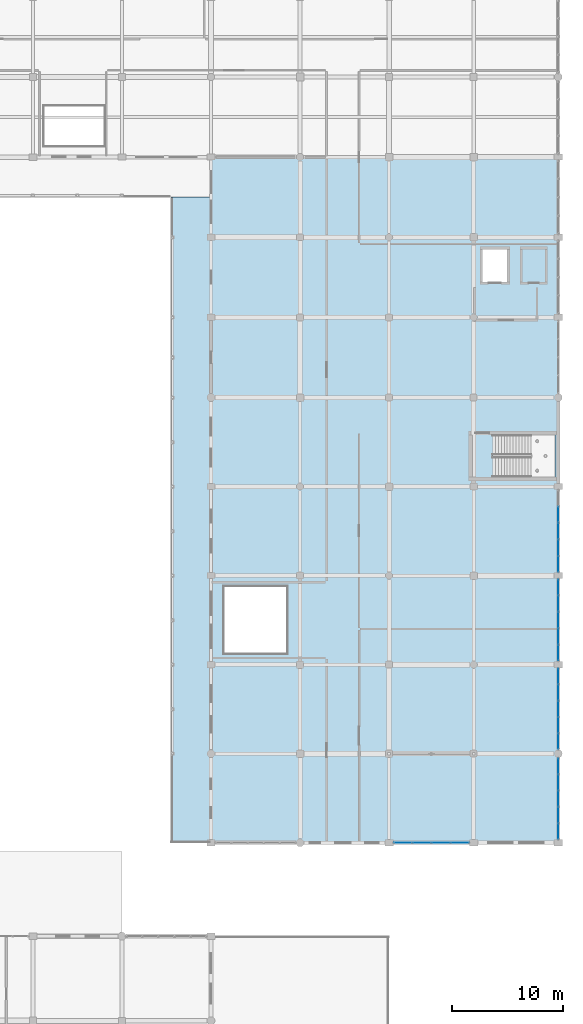
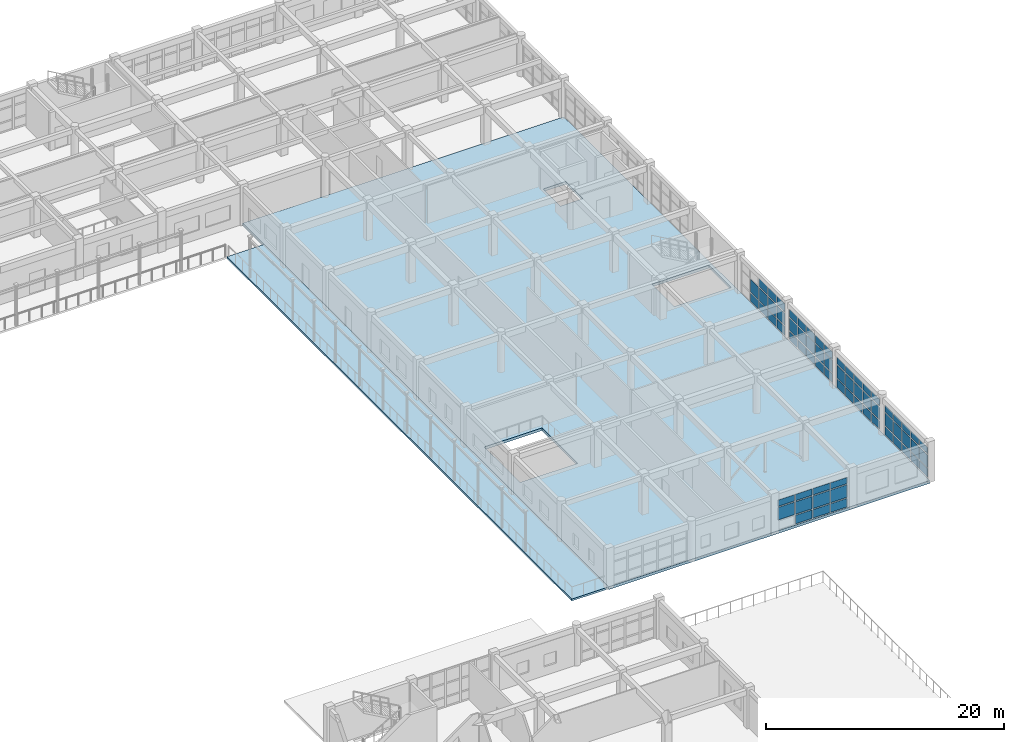
# One storey, part 153 of 195: 67 plates, 2 slabs, 5 elements without a shape of their own.
"""IFC4 building model written with IfcOpenShell, lengths in metres."""

from ifc_helpers import new_model, si_unit, direction, frame, origin, origin_2d, place, context, subcontext, project, spatial, polyline, rectangle, outline, extrude, material, layer, layer_set, type_object, element, aggregate, save


model = new_model("IFC4")

# Units and contexts
model_context = context("Model", 3, precision=1e-05, world=origin(), true_north=direction((0.0, 1.0)))
body_context = subcontext(model_context, "Body", "Model", "MODEL_VIEW")
ifc_project = project(units=[si_unit("LENGTHUNIT", "METRE"), si_unit("AREAUNIT", "SQUARE_METRE"), si_unit("VOLUMEUNIT", "CUBIC_METRE"), si_unit("PLANEANGLEUNIT", "RADIAN"), si_unit("MASSUNIT", "GRAM", prefix="KILO")], contexts=[model_context])

# Site, building, storey
site_placement = place(None, origin())
site = spatial("IfcSite", under=ifc_project, at=site_placement, CompositionType="ELEMENT")
building_placement = place(site_placement, origin())
building = spatial("IfcBuilding", under=site, at=building_placement, Name="Kharva Crest Polytechnic", CompositionType="ELEMENT")
storey_placement = place(building_placement, frame((0.0, 0.0, 9.0)))
storey = spatial("IfcBuildingStorey", under=building, at=storey_placement, Name="L02", CompositionType="ELEMENT", Elevation=9.0)

# Curtain wall, plates
ifc_material_1 = material(Name="Tempered insulated glass", Category="glass")
curtain_wall_type = type_object("IfcCurtainWallType", Name="CW-SYS-COURT", PredefinedType="USERDEFINED", material=ifc_material_1)
curtain_wall_1_placement = place(storey_placement, origin())
curtain_wall_1 = element("IfcCurtainWall", 1, at=curtain_wall_1_placement, inside=storey, type_object=curtain_wall_type, Name="L02 Glazed Curtain Wall CW-102", ObjectType="CURTAIN WALL", PredefinedType="USERDEFINED")
ifc_layer_1 = layer(ifc_material_1, 0.02392578125, Name="Tempered insulated glass")
ifc_layer_set_1 = layer_set([ifc_layer_1], Name="Tempered insulated glass")
plate_type = type_object("IfcPlateType", Name="CWP-GLZ-24", PredefinedType="CURTAIN_PANEL", material=ifc_layer_set_1)
plate_1_placement = place(storey_placement, frame((170.054931640625, 38.800048828125, 1.10986328125), z_axis=(0.0, 0.0, 1.0), x_axis=(1.0, 0.0, 0.0)))
plate_1 = element("IfcPlate", 2, at=plate_1_placement, type_object=plate_type, Name="CW-102 panel 1.2", PredefinedType="CURTAIN_PANEL", context=body_context, shape_type="SweptSolid", body=[
    extrude(rectangle(XDim=1.590087890625, YDim=0.02392578125, at=origin_2d()), origin(), (0.0, 0.0, 1.0), 1.280029296875),
])
plate_2_placement = place(storey_placement, frame((170.054931640625, 38.800048828125, 2.51025390625), z_axis=(0.0, 0.0, 1.0), x_axis=(1.0, 0.0, 0.0)))
plate_2 = element("IfcPlate", 3, at=plate_2_placement, type_object=plate_type, Name="CW-102 panel 1.3", PredefinedType="CURTAIN_PANEL", context=body_context, shape_type="SweptSolid", body=[
    extrude(rectangle(XDim=1.590087890625, YDim=0.02392578125, at=origin_2d()), origin(), (0.0, 0.0, 1.0), 0.639892578125),
])
plate_3_placement = place(storey_placement, frame((171.7451171875, 38.800048828125, 0.119873046875), z_axis=(0.0, 0.0, 1.0), x_axis=(1.0, 0.0, 0.0)))
plate_3 = element("IfcPlate", 4, at=plate_3_placement, type_object=plate_type, Name="CW-102 panel 2.1", PredefinedType="CURTAIN_PANEL", context=body_context, shape_type="SweptSolid", body=[
    extrude(rectangle(XDim=1.6298828125, YDim=0.02392578125, at=origin_2d()), origin(), (0.0, 0.0, 1.0), 0.8701171875),
])
plate_4_placement = place(storey_placement, frame((171.7451171875, 38.800048828125, 1.10986328125), z_axis=(0.0, 0.0, 1.0), x_axis=(1.0, 0.0, 0.0)))
plate_4 = element("IfcPlate", 5, at=plate_4_placement, type_object=plate_type, Name="CW-102 panel 2.2", PredefinedType="CURTAIN_PANEL", context=body_context, shape_type="SweptSolid", body=[
    extrude(rectangle(XDim=1.6298828125, YDim=0.02392578125, at=origin_2d()), origin(), (0.0, 0.0, 1.0), 1.280029296875),
])
plate_5_placement = place(storey_placement, frame((171.7451171875, 38.800048828125, 2.51025390625), z_axis=(0.0, 0.0, 1.0), x_axis=(1.0, 0.0, 0.0)))
plate_5 = element("IfcPlate", 6, at=plate_5_placement, type_object=plate_type, Name="CW-102 panel 2.3", PredefinedType="CURTAIN_PANEL", context=body_context, shape_type="SweptSolid", body=[
    extrude(rectangle(XDim=1.6298828125, YDim=0.02392578125, at=origin_2d()), origin(), (0.0, 0.0, 1.0), 0.639892578125),
])
plate_6_placement = place(storey_placement, frame((173.455078125, 38.800048828125, 0.119873046875), z_axis=(0.0, 0.0, 1.0), x_axis=(1.0, 0.0, 0.0)))
plate_6 = element("IfcPlate", 7, at=plate_6_placement, type_object=plate_type, Name="CW-102 panel 3.1", PredefinedType="CURTAIN_PANEL", context=body_context, shape_type="SweptSolid", body=[
    extrude(rectangle(XDim=1.6298828125, YDim=0.02392578125, at=origin_2d()), origin(), (0.0, 0.0, 1.0), 0.8701171875),
])
plate_7_placement = place(storey_placement, frame((173.455078125, 38.800048828125, 1.10986328125), z_axis=(0.0, 0.0, 1.0), x_axis=(1.0, 0.0, 0.0)))
plate_7 = element("IfcPlate", 8, at=plate_7_placement, type_object=plate_type, Name="CW-102 panel 3.2", PredefinedType="CURTAIN_PANEL", context=body_context, shape_type="SweptSolid", body=[
    extrude(rectangle(XDim=1.6298828125, YDim=0.02392578125, at=origin_2d()), origin(), (0.0, 0.0, 1.0), 1.280029296875),
])
plate_8_placement = place(storey_placement, frame((173.455078125, 38.800048828125, 2.51025390625), z_axis=(0.0, 0.0, 1.0), x_axis=(1.0, 0.0, 0.0)))
plate_8 = element("IfcPlate", 9, at=plate_8_placement, type_object=plate_type, Name="CW-102 panel 3.3", PredefinedType="CURTAIN_PANEL", context=body_context, shape_type="SweptSolid", body=[
    extrude(rectangle(XDim=1.6298828125, YDim=0.02392578125, at=origin_2d()), origin(), (0.0, 0.0, 1.0), 0.639892578125),
])
plate_9_placement = place(storey_placement, frame((175.14501953125, 38.800048828125, 0.119873046875), z_axis=(0.0, 0.0, 1.0), x_axis=(1.0, 0.0, 0.0)))
plate_9 = element("IfcPlate", 10, at=plate_9_placement, type_object=plate_type, Name="CW-102 panel 4.1", PredefinedType="CURTAIN_PANEL", context=body_context, shape_type="SweptSolid", body=[
    extrude(rectangle(XDim=1.590087890625, YDim=0.02392578125, at=origin_2d()), origin(), (0.0, 0.0, 1.0), 0.8701171875),
])
plate_10_placement = place(storey_placement, frame((175.14501953125, 38.800048828125, 1.10986328125), z_axis=(0.0, 0.0, 1.0), x_axis=(1.0, 0.0, 0.0)))
plate_10 = element("IfcPlate", 11, at=plate_10_placement, type_object=plate_type, Name="CW-102 panel 4.2", PredefinedType="CURTAIN_PANEL", context=body_context, shape_type="SweptSolid", body=[
    extrude(rectangle(XDim=1.590087890625, YDim=0.02392578125, at=origin_2d()), origin(), (0.0, 0.0, 1.0), 1.280029296875),
])
plate_11_placement = place(storey_placement, frame((175.14501953125, 38.800048828125, 2.51025390625), z_axis=(0.0, 0.0, 1.0), x_axis=(1.0, 0.0, 0.0)))
plate_11 = element("IfcPlate", 12, at=plate_11_placement, type_object=plate_type, Name="CW-102 panel 4.3", PredefinedType="CURTAIN_PANEL", context=body_context, shape_type="SweptSolid", body=[
    extrude(rectangle(XDim=1.590087890625, YDim=0.02392578125, at=origin_2d()), origin(), (0.0, 0.0, 1.0), 0.639892578125),
])
aggregate(curtain_wall_1, [plate_1, plate_2, plate_3, plate_4, plate_5, plate_6, plate_7, plate_8, plate_9, plate_10, plate_11])

curtain_wall_2_placement = place(storey_placement, origin())
curtain_wall_2 = element("IfcCurtainWall", 13, at=curtain_wall_2_placement, inside=storey, type_object=curtain_wall_type, Name="L02 Glazed Curtain Wall CW-103", ObjectType="CURTAIN WALL", PredefinedType="USERDEFINED")
plate_12_placement = place(storey_placement, frame((184.0, 39.83544921875, 0.119873046875), z_axis=(0.0, 0.0, 1.0), x_axis=(0.0, 1.0, 0.0)))
plate_12 = element("IfcPlate", 14, at=plate_12_placement, type_object=plate_type, Name="CW-103 panel 1.1", PredefinedType="CURTAIN_PANEL", context=body_context, shape_type="SweptSolid", body=[
    extrude(rectangle(XDim=1.35107421875, YDim=0.02392578125, at=origin_2d()), origin(), (0.0, 0.0, 1.0), 0.8701171875),
])
plate_13_placement = place(storey_placement, frame((184.0, 39.83544921875, 1.10986328125), z_axis=(0.0, 0.0, 1.0), x_axis=(0.0, 1.0, 0.0)))
plate_13 = element("IfcPlate", 15, at=plate_13_placement, type_object=plate_type, Name="CW-103 panel 1.2", PredefinedType="CURTAIN_PANEL", context=body_context, shape_type="SweptSolid", body=[
    extrude(rectangle(XDim=1.35107421875, YDim=0.02392578125, at=origin_2d()), origin(), (0.0, 0.0, 1.0), 1.280029296875),
])
plate_14_placement = place(storey_placement, frame((184.0, 39.83544921875, 2.510009765625), z_axis=(0.0, 0.0, 1.0), x_axis=(0.0, 1.0, 0.0)))
plate_14 = element("IfcPlate", 16, at=plate_14_placement, type_object=plate_type, Name="CW-103 panel 1.3", PredefinedType="CURTAIN_PANEL", context=body_context, shape_type="SweptSolid", body=[
    extrude(rectangle(XDim=1.35107421875, YDim=0.02392578125, at=origin_2d()), origin(), (0.0, 0.0, 1.0), 0.669921875),
])
plate_15_placement = place(storey_placement, frame((184.0, 41.28662109375, 0.119873046875), z_axis=(0.0, 0.0, 1.0), x_axis=(0.0, 1.0, 0.0)))
plate_15 = element("IfcPlate", 17, at=plate_15_placement, type_object=plate_type, Name="CW-103 panel 2.1", PredefinedType="CURTAIN_PANEL", context=body_context, shape_type="SweptSolid", body=[
    extrude(rectangle(XDim=1.39111328125, YDim=0.02392578125, at=origin_2d()), origin(), (0.0, 0.0, 1.0), 0.8701171875),
])
plate_16_placement = place(storey_placement, frame((184.0, 41.28662109375, 1.10986328125), z_axis=(0.0, 0.0, 1.0), x_axis=(0.0, 1.0, 0.0)))
plate_16 = element("IfcPlate", 18, at=plate_16_placement, type_object=plate_type, Name="CW-103 panel 2.2", PredefinedType="CURTAIN_PANEL", context=body_context, shape_type="SweptSolid", body=[
    extrude(rectangle(XDim=1.39111328125, YDim=0.02392578125, at=origin_2d()), origin(), (0.0, 0.0, 1.0), 1.280029296875),
])
plate_17_placement = place(storey_placement, frame((184.0, 41.28662109375, 2.510009765625), z_axis=(0.0, 0.0, 1.0), x_axis=(0.0, 1.0, 0.0)))
plate_17 = element("IfcPlate", 19, at=plate_17_placement, type_object=plate_type, Name="CW-103 panel 2.3", PredefinedType="CURTAIN_PANEL", context=body_context, shape_type="SweptSolid", body=[
    extrude(rectangle(XDim=1.39111328125, YDim=0.02392578125, at=origin_2d()), origin(), (0.0, 0.0, 1.0), 0.669921875),
])
plate_18_placement = place(storey_placement, frame((184.0, 42.757568359375, 0.119873046875), z_axis=(0.0, 0.0, 1.0), x_axis=(0.0, 1.0, 0.0)))
plate_18 = element("IfcPlate", 20, at=plate_18_placement, type_object=plate_type, Name="CW-103 panel 3.1", PredefinedType="CURTAIN_PANEL", context=body_context, shape_type="SweptSolid", body=[
    extrude(rectangle(XDim=1.39111328125, YDim=0.02392578125, at=origin_2d()), origin(), (0.0, 0.0, 1.0), 0.8701171875),
])
plate_19_placement = place(storey_placement, frame((184.0, 42.757568359375, 1.10986328125), z_axis=(0.0, 0.0, 1.0), x_axis=(0.0, 1.0, 0.0)))
plate_19 = element("IfcPlate", 21, at=plate_19_placement, type_object=plate_type, Name="CW-103 panel 3.2", PredefinedType="CURTAIN_PANEL", context=body_context, shape_type="SweptSolid", body=[
    extrude(rectangle(XDim=1.39111328125, YDim=0.02392578125, at=origin_2d()), origin(), (0.0, 0.0, 1.0), 1.280029296875),
])
plate_20_placement = place(storey_placement, frame((184.0, 42.757568359375, 2.510009765625), z_axis=(0.0, 0.0, 1.0), x_axis=(0.0, 1.0, 0.0)))
plate_20 = element("IfcPlate", 22, at=plate_20_placement, type_object=plate_type, Name="CW-103 panel 3.3", PredefinedType="CURTAIN_PANEL", context=body_context, shape_type="SweptSolid", body=[
    extrude(rectangle(XDim=1.39111328125, YDim=0.02392578125, at=origin_2d()), origin(), (0.0, 0.0, 1.0), 0.669921875),
])
plate_21_placement = place(storey_placement, frame((184.0, 44.228515625, 0.119873046875), z_axis=(0.0, 0.0, 1.0), x_axis=(0.0, 1.0, 0.0)))
plate_21 = element("IfcPlate", 23, at=plate_21_placement, type_object=plate_type, Name="CW-103 panel 4.1", PredefinedType="CURTAIN_PANEL", context=body_context, shape_type="SweptSolid", body=[
    extrude(rectangle(XDim=1.39111328125, YDim=0.02392578125, at=origin_2d()), origin(), (0.0, 0.0, 1.0), 0.8701171875),
])
plate_22_placement = place(storey_placement, frame((184.0, 44.228515625, 1.10986328125), z_axis=(0.0, 0.0, 1.0), x_axis=(0.0, 1.0, 0.0)))
plate_22 = element("IfcPlate", 24, at=plate_22_placement, type_object=plate_type, Name="CW-103 panel 4.2", PredefinedType="CURTAIN_PANEL", context=body_context, shape_type="SweptSolid", body=[
    extrude(rectangle(XDim=1.39111328125, YDim=0.02392578125, at=origin_2d()), origin(), (0.0, 0.0, 1.0), 1.280029296875),
])
plate_23_placement = place(storey_placement, frame((184.0, 44.228515625, 2.510009765625), z_axis=(0.0, 0.0, 1.0), x_axis=(0.0, 1.0, 0.0)))
plate_23 = element("IfcPlate", 25, at=plate_23_placement, type_object=plate_type, Name="CW-103 panel 4.3", PredefinedType="CURTAIN_PANEL", context=body_context, shape_type="SweptSolid", body=[
    extrude(rectangle(XDim=1.39111328125, YDim=0.02392578125, at=origin_2d()), origin(), (0.0, 0.0, 1.0), 0.669921875),
])
plate_24_placement = place(storey_placement, frame((184.0, 45.679443359375, 0.119873046875), z_axis=(0.0, 0.0, 1.0), x_axis=(0.0, 1.0, 0.0)))
plate_24 = element("IfcPlate", 26, at=plate_24_placement, type_object=plate_type, Name="CW-103 panel 5.1", PredefinedType="CURTAIN_PANEL", context=body_context, shape_type="SweptSolid", body=[
    extrude(rectangle(XDim=1.35107421875, YDim=0.02392578125, at=origin_2d()), origin(), (0.0, 0.0, 1.0), 0.8701171875),
])
plate_25_placement = place(storey_placement, frame((184.0, 45.679443359375, 1.10986328125), z_axis=(0.0, 0.0, 1.0), x_axis=(0.0, 1.0, 0.0)))
plate_25 = element("IfcPlate", 27, at=plate_25_placement, type_object=plate_type, Name="CW-103 panel 5.2", PredefinedType="CURTAIN_PANEL", context=body_context, shape_type="SweptSolid", body=[
    extrude(rectangle(XDim=1.35107421875, YDim=0.02392578125, at=origin_2d()), origin(), (0.0, 0.0, 1.0), 1.280029296875),
])
plate_26_placement = place(storey_placement, frame((184.0, 45.679443359375, 2.510009765625), z_axis=(0.0, 0.0, 1.0), x_axis=(0.0, 1.0, 0.0)))
plate_26 = element("IfcPlate", 28, at=plate_26_placement, type_object=plate_type, Name="CW-103 panel 5.3", PredefinedType="CURTAIN_PANEL", context=body_context, shape_type="SweptSolid", body=[
    extrude(rectangle(XDim=1.35107421875, YDim=0.02392578125, at=origin_2d()), origin(), (0.0, 0.0, 1.0), 0.669921875),
])
aggregate(curtain_wall_2, [plate_12, plate_13, plate_14, plate_15, plate_16, plate_17, plate_18, plate_19, plate_20, plate_21, plate_22, plate_23, plate_24, plate_25, plate_26])

curtain_wall_3_placement = place(storey_placement, origin())
curtain_wall_3 = element("IfcCurtainWall", 29, at=curtain_wall_3_placement, inside=storey, type_object=curtain_wall_type, Name="L02 Glazed Curtain Wall CW-104", ObjectType="CURTAIN WALL", PredefinedType="USERDEFINED")
plate_27_placement = place(storey_placement, frame((184.0, 47.91796875, 0.119873046875), z_axis=(0.0, 0.0, 1.0), x_axis=(0.0, 1.0, 0.0)))
plate_27 = element("IfcPlate", 30, at=plate_27_placement, type_object=plate_type, Name="CW-104 panel 1.1", PredefinedType="CURTAIN_PANEL", context=body_context, shape_type="SweptSolid", body=[
    extrude(rectangle(XDim=1.345947265625, YDim=0.02392578125, at=origin_2d()), origin(), (0.0, 0.0, 1.0), 0.8701171875),
])
plate_28_placement = place(storey_placement, frame((184.0, 47.91796875, 1.10986328125), z_axis=(0.0, 0.0, 1.0), x_axis=(0.0, 1.0, 0.0)))
plate_28 = element("IfcPlate", 31, at=plate_28_placement, type_object=plate_type, Name="CW-104 panel 1.2", PredefinedType="CURTAIN_PANEL", context=body_context, shape_type="SweptSolid", body=[
    extrude(rectangle(XDim=1.345947265625, YDim=0.02392578125, at=origin_2d()), origin(), (0.0, 0.0, 1.0), 1.280029296875),
])
plate_29_placement = place(storey_placement, frame((184.0, 47.91796875, 2.510009765625), z_axis=(0.0, 0.0, 1.0), x_axis=(0.0, 1.0, 0.0)))
plate_29 = element("IfcPlate", 32, at=plate_29_placement, type_object=plate_type, Name="CW-104 panel 1.3", PredefinedType="CURTAIN_PANEL", context=body_context, shape_type="SweptSolid", body=[
    extrude(rectangle(XDim=1.345947265625, YDim=0.02392578125, at=origin_2d()), origin(), (0.0, 0.0, 1.0), 0.7099609375),
])
plate_30_placement = place(storey_placement, frame((184.0, 49.364013671875, 0.119873046875), z_axis=(0.0, 0.0, 1.0), x_axis=(0.0, 1.0, 0.0)))
plate_30 = element("IfcPlate", 33, at=plate_30_placement, type_object=plate_type, Name="CW-104 panel 2.1", PredefinedType="CURTAIN_PANEL", context=body_context, shape_type="SweptSolid", body=[
    extrude(rectangle(XDim=1.385986328125, YDim=0.02392578125, at=origin_2d()), origin(), (0.0, 0.0, 1.0), 0.8701171875),
])
plate_31_placement = place(storey_placement, frame((184.0, 49.364013671875, 1.10986328125), z_axis=(0.0, 0.0, 1.0), x_axis=(0.0, 1.0, 0.0)))
plate_31 = element("IfcPlate", 34, at=plate_31_placement, type_object=plate_type, Name="CW-104 panel 2.2", PredefinedType="CURTAIN_PANEL", context=body_context, shape_type="SweptSolid", body=[
    extrude(rectangle(XDim=1.385986328125, YDim=0.02392578125, at=origin_2d()), origin(), (0.0, 0.0, 1.0), 1.280029296875),
])
plate_32_placement = place(storey_placement, frame((184.0, 49.364013671875, 2.510009765625), z_axis=(0.0, 0.0, 1.0), x_axis=(0.0, 1.0, 0.0)))
plate_32 = element("IfcPlate", 35, at=plate_32_placement, type_object=plate_type, Name="CW-104 panel 2.3", PredefinedType="CURTAIN_PANEL", context=body_context, shape_type="SweptSolid", body=[
    extrude(rectangle(XDim=1.385986328125, YDim=0.02392578125, at=origin_2d()), origin(), (0.0, 0.0, 1.0), 0.7099609375),
])
plate_33_placement = place(storey_placement, frame((184.0, 50.830078125, 0.119873046875), z_axis=(0.0, 0.0, 1.0), x_axis=(0.0, 1.0, 0.0)))
plate_33 = element("IfcPlate", 36, at=plate_33_placement, type_object=plate_type, Name="CW-104 panel 3.1", PredefinedType="CURTAIN_PANEL", context=body_context, shape_type="SweptSolid", body=[
    extrude(rectangle(XDim=1.385986328125, YDim=0.02392578125, at=origin_2d()), origin(), (0.0, 0.0, 1.0), 0.8701171875),
])
plate_34_placement = place(storey_placement, frame((184.0, 50.830078125, 1.10986328125), z_axis=(0.0, 0.0, 1.0), x_axis=(0.0, 1.0, 0.0)))
plate_34 = element("IfcPlate", 37, at=plate_34_placement, type_object=plate_type, Name="CW-104 panel 3.2", PredefinedType="CURTAIN_PANEL", context=body_context, shape_type="SweptSolid", body=[
    extrude(rectangle(XDim=1.385986328125, YDim=0.02392578125, at=origin_2d()), origin(), (0.0, 0.0, 1.0), 1.280029296875),
])
plate_35_placement = place(storey_placement, frame((184.0, 50.830078125, 2.510009765625), z_axis=(0.0, 0.0, 1.0), x_axis=(0.0, 1.0, 0.0)))
plate_35 = element("IfcPlate", 38, at=plate_35_placement, type_object=plate_type, Name="CW-104 panel 3.3", PredefinedType="CURTAIN_PANEL", context=body_context, shape_type="SweptSolid", body=[
    extrude(rectangle(XDim=1.385986328125, YDim=0.02392578125, at=origin_2d()), origin(), (0.0, 0.0, 1.0), 0.7099609375),
])
plate_36_placement = place(storey_placement, frame((184.0, 52.2958984375, 0.119873046875), z_axis=(0.0, 0.0, 1.0), x_axis=(0.0, 1.0, 0.0)))
plate_36 = element("IfcPlate", 39, at=plate_36_placement, type_object=plate_type, Name="CW-104 panel 4.1", PredefinedType="CURTAIN_PANEL", context=body_context, shape_type="SweptSolid", body=[
    extrude(rectangle(XDim=1.385986328125, YDim=0.02392578125, at=origin_2d()), origin(), (0.0, 0.0, 1.0), 0.8701171875),
])
plate_37_placement = place(storey_placement, frame((184.0, 52.2958984375, 1.10986328125), z_axis=(0.0, 0.0, 1.0), x_axis=(0.0, 1.0, 0.0)))
plate_37 = element("IfcPlate", 40, at=plate_37_placement, type_object=plate_type, Name="CW-104 panel 4.2", PredefinedType="CURTAIN_PANEL", context=body_context, shape_type="SweptSolid", body=[
    extrude(rectangle(XDim=1.385986328125, YDim=0.02392578125, at=origin_2d()), origin(), (0.0, 0.0, 1.0), 1.280029296875),
])
plate_38_placement = place(storey_placement, frame((184.0, 52.2958984375, 2.510009765625), z_axis=(0.0, 0.0, 1.0), x_axis=(0.0, 1.0, 0.0)))
plate_38 = element("IfcPlate", 41, at=plate_38_placement, type_object=plate_type, Name="CW-104 panel 4.3", PredefinedType="CURTAIN_PANEL", context=body_context, shape_type="SweptSolid", body=[
    extrude(rectangle(XDim=1.385986328125, YDim=0.02392578125, at=origin_2d()), origin(), (0.0, 0.0, 1.0), 0.7099609375),
])
plate_39_placement = place(storey_placement, frame((184.0, 53.741943359375, 0.119873046875), z_axis=(0.0, 0.0, 1.0), x_axis=(0.0, 1.0, 0.0)))
plate_39 = element("IfcPlate", 42, at=plate_39_placement, type_object=plate_type, Name="CW-104 panel 5.1", PredefinedType="CURTAIN_PANEL", context=body_context, shape_type="SweptSolid", body=[
    extrude(rectangle(XDim=1.345947265625, YDim=0.02392578125, at=origin_2d()), origin(), (0.0, 0.0, 1.0), 0.8701171875),
])
plate_40_placement = place(storey_placement, frame((184.0, 53.741943359375, 1.10986328125), z_axis=(0.0, 0.0, 1.0), x_axis=(0.0, 1.0, 0.0)))
plate_40 = element("IfcPlate", 43, at=plate_40_placement, type_object=plate_type, Name="CW-104 panel 5.2", PredefinedType="CURTAIN_PANEL", context=body_context, shape_type="SweptSolid", body=[
    extrude(rectangle(XDim=1.345947265625, YDim=0.02392578125, at=origin_2d()), origin(), (0.0, 0.0, 1.0), 1.280029296875),
])
plate_41_placement = place(storey_placement, frame((184.0, 53.741943359375, 2.510009765625), z_axis=(0.0, 0.0, 1.0), x_axis=(0.0, 1.0, 0.0)))
plate_41 = element("IfcPlate", 44, at=plate_41_placement, type_object=plate_type, Name="CW-104 panel 5.3", PredefinedType="CURTAIN_PANEL", context=body_context, shape_type="SweptSolid", body=[
    extrude(rectangle(XDim=1.345947265625, YDim=0.02392578125, at=origin_2d()), origin(), (0.0, 0.0, 1.0), 0.7099609375),
])
aggregate(curtain_wall_3, [plate_27, plate_28, plate_29, plate_30, plate_31, plate_32, plate_33, plate_34, plate_35, plate_36, plate_37, plate_38, plate_39, plate_40, plate_41])

curtain_wall_4_placement = place(storey_placement, origin())
curtain_wall_4 = element("IfcCurtainWall", 45, at=curtain_wall_4_placement, inside=storey, type_object=curtain_wall_type, Name="L02 Glazed Curtain Wall CW-105", ObjectType="CURTAIN WALL", PredefinedType="USERDEFINED")
plate_42_placement = place(storey_placement, frame((184.0, 55.866455078125, 0.119873046875), z_axis=(0.0, 0.0, 1.0), x_axis=(0.0, 1.0, 0.0)))
plate_42 = element("IfcPlate", 46, at=plate_42_placement, type_object=plate_type, Name="CW-105 panel 1.1", PredefinedType="CURTAIN_PANEL", context=body_context, shape_type="SweptSolid", body=[
    extrude(rectangle(XDim=1.363037109375, YDim=0.02392578125, at=origin_2d()), origin(), (0.0, 0.0, 1.0), 0.8701171875),
])
plate_43_placement = place(storey_placement, frame((184.0, 55.866455078125, 1.10986328125), z_axis=(0.0, 0.0, 1.0), x_axis=(0.0, 1.0, 0.0)))
plate_43 = element("IfcPlate", 47, at=plate_43_placement, type_object=plate_type, Name="CW-105 panel 1.2", PredefinedType="CURTAIN_PANEL", context=body_context, shape_type="SweptSolid", body=[
    extrude(rectangle(XDim=1.363037109375, YDim=0.02392578125, at=origin_2d()), origin(), (0.0, 0.0, 1.0), 1.280029296875),
])
plate_44_placement = place(storey_placement, frame((184.0, 55.866455078125, 2.510009765625), z_axis=(0.0, 0.0, 1.0), x_axis=(0.0, 1.0, 0.0)))
plate_44 = element("IfcPlate", 48, at=plate_44_placement, type_object=plate_type, Name="CW-105 panel 1.3", PredefinedType="CURTAIN_PANEL", context=body_context, shape_type="SweptSolid", body=[
    extrude(rectangle(XDim=1.363037109375, YDim=0.02392578125, at=origin_2d()), origin(), (0.0, 0.0, 1.0), 0.77001953125),
])
plate_45_placement = place(storey_placement, frame((184.0, 57.32958984375, 0.119873046875), z_axis=(0.0, 0.0, 1.0), x_axis=(0.0, 1.0, 0.0)))
plate_45 = element("IfcPlate", 49, at=plate_45_placement, type_object=plate_type, Name="CW-105 panel 2.1", PredefinedType="CURTAIN_PANEL", context=body_context, shape_type="SweptSolid", body=[
    extrude(rectangle(XDim=1.403076171875, YDim=0.02392578125, at=origin_2d()), origin(), (0.0, 0.0, 1.0), 0.8701171875),
])
plate_46_placement = place(storey_placement, frame((184.0, 57.32958984375, 1.10986328125), z_axis=(0.0, 0.0, 1.0), x_axis=(0.0, 1.0, 0.0)))
plate_46 = element("IfcPlate", 50, at=plate_46_placement, type_object=plate_type, Name="CW-105 panel 2.2", PredefinedType="CURTAIN_PANEL", context=body_context, shape_type="SweptSolid", body=[
    extrude(rectangle(XDim=1.403076171875, YDim=0.02392578125, at=origin_2d()), origin(), (0.0, 0.0, 1.0), 1.280029296875),
])
plate_47_placement = place(storey_placement, frame((184.0, 57.32958984375, 2.510009765625), z_axis=(0.0, 0.0, 1.0), x_axis=(0.0, 1.0, 0.0)))
plate_47 = element("IfcPlate", 51, at=plate_47_placement, type_object=plate_type, Name="CW-105 panel 2.3", PredefinedType="CURTAIN_PANEL", context=body_context, shape_type="SweptSolid", body=[
    extrude(rectangle(XDim=1.403076171875, YDim=0.02392578125, at=origin_2d()), origin(), (0.0, 0.0, 1.0), 0.77001953125),
])
plate_48_placement = place(storey_placement, frame((184.0, 58.8125, 0.119873046875), z_axis=(0.0, 0.0, 1.0), x_axis=(0.0, 1.0, 0.0)))
plate_48 = element("IfcPlate", 52, at=plate_48_placement, type_object=plate_type, Name="CW-105 panel 3.1", PredefinedType="CURTAIN_PANEL", context=body_context, shape_type="SweptSolid", body=[
    extrude(rectangle(XDim=1.403076171875, YDim=0.02392578125, at=origin_2d()), origin(), (0.0, 0.0, 1.0), 0.8701171875),
])
plate_49_placement = place(storey_placement, frame((184.0, 58.8125, 1.10986328125), z_axis=(0.0, 0.0, 1.0), x_axis=(0.0, 1.0, 0.0)))
plate_49 = element("IfcPlate", 53, at=plate_49_placement, type_object=plate_type, Name="CW-105 panel 3.2", PredefinedType="CURTAIN_PANEL", context=body_context, shape_type="SweptSolid", body=[
    extrude(rectangle(XDim=1.403076171875, YDim=0.02392578125, at=origin_2d()), origin(), (0.0, 0.0, 1.0), 1.280029296875),
])
plate_50_placement = place(storey_placement, frame((184.0, 58.8125, 2.510009765625), z_axis=(0.0, 0.0, 1.0), x_axis=(0.0, 1.0, 0.0)))
plate_50 = element("IfcPlate", 54, at=plate_50_placement, type_object=plate_type, Name="CW-105 panel 3.3", PredefinedType="CURTAIN_PANEL", context=body_context, shape_type="SweptSolid", body=[
    extrude(rectangle(XDim=1.403076171875, YDim=0.02392578125, at=origin_2d()), origin(), (0.0, 0.0, 1.0), 0.77001953125),
])
plate_51_placement = place(storey_placement, frame((184.0, 60.29541015625, 0.119873046875), z_axis=(0.0, 0.0, 1.0), x_axis=(0.0, 1.0, 0.0)))
plate_51 = element("IfcPlate", 55, at=plate_51_placement, type_object=plate_type, Name="CW-105 panel 4.1", PredefinedType="CURTAIN_PANEL", context=body_context, shape_type="SweptSolid", body=[
    extrude(rectangle(XDim=1.403076171875, YDim=0.02392578125, at=origin_2d()), origin(), (0.0, 0.0, 1.0), 0.8701171875),
])
plate_52_placement = place(storey_placement, frame((184.0, 60.29541015625, 1.10986328125), z_axis=(0.0, 0.0, 1.0), x_axis=(0.0, 1.0, 0.0)))
plate_52 = element("IfcPlate", 56, at=plate_52_placement, type_object=plate_type, Name="CW-105 panel 4.2", PredefinedType="CURTAIN_PANEL", context=body_context, shape_type="SweptSolid", body=[
    extrude(rectangle(XDim=1.403076171875, YDim=0.02392578125, at=origin_2d()), origin(), (0.0, 0.0, 1.0), 1.280029296875),
])
plate_53_placement = place(storey_placement, frame((184.0, 60.29541015625, 2.510009765625), z_axis=(0.0, 0.0, 1.0), x_axis=(0.0, 1.0, 0.0)))
plate_53 = element("IfcPlate", 57, at=plate_53_placement, type_object=plate_type, Name="CW-105 panel 4.3", PredefinedType="CURTAIN_PANEL", context=body_context, shape_type="SweptSolid", body=[
    extrude(rectangle(XDim=1.403076171875, YDim=0.02392578125, at=origin_2d()), origin(), (0.0, 0.0, 1.0), 0.77001953125),
])
plate_54_placement = place(storey_placement, frame((184.0, 61.758544921875, 0.119873046875), z_axis=(0.0, 0.0, 1.0), x_axis=(0.0, 1.0, 0.0)))
plate_54 = element("IfcPlate", 58, at=plate_54_placement, type_object=plate_type, Name="CW-105 panel 5.1", PredefinedType="CURTAIN_PANEL", context=body_context, shape_type="SweptSolid", body=[
    extrude(rectangle(XDim=1.363037109375, YDim=0.02392578125, at=origin_2d()), origin(), (0.0, 0.0, 1.0), 0.8701171875),
])
plate_55_placement = place(storey_placement, frame((184.0, 61.758544921875, 1.10986328125), z_axis=(0.0, 0.0, 1.0), x_axis=(0.0, 1.0, 0.0)))
plate_55 = element("IfcPlate", 59, at=plate_55_placement, type_object=plate_type, Name="CW-105 panel 5.2", PredefinedType="CURTAIN_PANEL", context=body_context, shape_type="SweptSolid", body=[
    extrude(rectangle(XDim=1.363037109375, YDim=0.02392578125, at=origin_2d()), origin(), (0.0, 0.0, 1.0), 1.280029296875),
])
plate_56_placement = place(storey_placement, frame((184.0, 61.758544921875, 2.510009765625), z_axis=(0.0, 0.0, 1.0), x_axis=(0.0, 1.0, 0.0)))
plate_56 = element("IfcPlate", 60, at=plate_56_placement, type_object=plate_type, Name="CW-105 panel 5.3", PredefinedType="CURTAIN_PANEL", context=body_context, shape_type="SweptSolid", body=[
    extrude(rectangle(XDim=1.363037109375, YDim=0.02392578125, at=origin_2d()), origin(), (0.0, 0.0, 1.0), 0.77001953125),
])
aggregate(curtain_wall_4, [plate_42, plate_43, plate_44, plate_45, plate_46, plate_47, plate_48, plate_49, plate_50, plate_51, plate_52, plate_53, plate_54, plate_55, plate_56])

curtain_wall_5_placement = place(storey_placement, origin())
curtain_wall_5 = element("IfcCurtainWall", 61, at=curtain_wall_5_placement, inside=storey, type_object=curtain_wall_type, Name="L02 Glazed Curtain Wall CW-106", ObjectType="CURTAIN WALL", PredefinedType="USERDEFINED")
plate_57_placement = place(storey_placement, frame((184.0, 63.843994140625, 0.119873046875), z_axis=(0.0, 0.0, 1.0), x_axis=(0.0, 1.0, 0.0)))
plate_57 = element("IfcPlate", 62, at=plate_57_placement, type_object=plate_type, Name="CW-106 panel 1.1", PredefinedType="CURTAIN_PANEL", context=body_context, shape_type="SweptSolid", body=[
    extrude(rectangle(XDim=1.367919921875, YDim=0.02392578125, at=origin_2d()), origin(), (0.0, 0.0, 1.0), 0.8701171875),
])
plate_58_placement = place(storey_placement, frame((184.0, 63.843994140625, 1.10986328125), z_axis=(0.0, 0.0, 1.0), x_axis=(0.0, 1.0, 0.0)))
plate_58 = element("IfcPlate", 63, at=plate_58_placement, type_object=plate_type, Name="CW-106 panel 1.2", PredefinedType="CURTAIN_PANEL", context=body_context, shape_type="SweptSolid", body=[
    extrude(rectangle(XDim=1.367919921875, YDim=0.02392578125, at=origin_2d()), origin(), (0.0, 0.0, 1.0), 1.280029296875),
])
plate_59_placement = place(storey_placement, frame((184.0, 63.843994140625, 2.510009765625), z_axis=(0.0, 0.0, 1.0), x_axis=(0.0, 1.0, 0.0)))
plate_59 = element("IfcPlate", 64, at=plate_59_placement, type_object=plate_type, Name="CW-106 panel 1.3", PredefinedType="CURTAIN_PANEL", context=body_context, shape_type="SweptSolid", body=[
    extrude(rectangle(XDim=1.367919921875, YDim=0.02392578125, at=origin_2d()), origin(), (0.0, 0.0, 1.0), 0.830078125),
])
plate_60_placement = place(storey_placement, frame((184.0, 65.31201171875, 0.119873046875), z_axis=(0.0, 0.0, 1.0), x_axis=(0.0, 1.0, 0.0)))
plate_60 = element("IfcPlate", 65, at=plate_60_placement, type_object=plate_type, Name="CW-106 panel 2.1", PredefinedType="CURTAIN_PANEL", context=body_context, shape_type="SweptSolid", body=[
    extrude(rectangle(XDim=1.407958984375, YDim=0.02392578125, at=origin_2d()), origin(), (0.0, 0.0, 1.0), 0.8701171875),
])
plate_61_placement = place(storey_placement, frame((184.0, 65.31201171875, 1.10986328125), z_axis=(0.0, 0.0, 1.0), x_axis=(0.0, 1.0, 0.0)))
plate_61 = element("IfcPlate", 66, at=plate_61_placement, type_object=plate_type, Name="CW-106 panel 2.2", PredefinedType="CURTAIN_PANEL", context=body_context, shape_type="SweptSolid", body=[
    extrude(rectangle(XDim=1.407958984375, YDim=0.02392578125, at=origin_2d()), origin(), (0.0, 0.0, 1.0), 1.280029296875),
])
plate_62_placement = place(storey_placement, frame((184.0, 65.31201171875, 2.510009765625), z_axis=(0.0, 0.0, 1.0), x_axis=(0.0, 1.0, 0.0)))
plate_62 = element("IfcPlate", 67, at=plate_62_placement, type_object=plate_type, Name="CW-106 panel 2.3", PredefinedType="CURTAIN_PANEL", context=body_context, shape_type="SweptSolid", body=[
    extrude(rectangle(XDim=1.407958984375, YDim=0.02392578125, at=origin_2d()), origin(), (0.0, 0.0, 1.0), 0.830078125),
])
plate_63_placement = place(storey_placement, frame((184.0, 66.800048828125, 0.119873046875), z_axis=(0.0, 0.0, 1.0), x_axis=(0.0, 1.0, 0.0)))
plate_63 = element("IfcPlate", 68, at=plate_63_placement, type_object=plate_type, Name="CW-106 panel 3.1", PredefinedType="CURTAIN_PANEL", context=body_context, shape_type="SweptSolid", body=[
    extrude(rectangle(XDim=1.407958984375, YDim=0.02392578125, at=origin_2d()), origin(), (0.0, 0.0, 1.0), 0.8701171875),
])
plate_64_placement = place(storey_placement, frame((184.0, 66.800048828125, 1.10986328125), z_axis=(0.0, 0.0, 1.0), x_axis=(0.0, 1.0, 0.0)))
plate_64 = element("IfcPlate", 69, at=plate_64_placement, type_object=plate_type, Name="CW-106 panel 3.2", PredefinedType="CURTAIN_PANEL", context=body_context, shape_type="SweptSolid", body=[
    extrude(rectangle(XDim=1.407958984375, YDim=0.02392578125, at=origin_2d()), origin(), (0.0, 0.0, 1.0), 1.280029296875),
])
plate_65_placement = place(storey_placement, frame((184.0, 66.800048828125, 2.510009765625), z_axis=(0.0, 0.0, 1.0), x_axis=(0.0, 1.0, 0.0)))
plate_65 = element("IfcPlate", 70, at=plate_65_placement, type_object=plate_type, Name="CW-106 panel 3.3", PredefinedType="CURTAIN_PANEL", context=body_context, shape_type="SweptSolid", body=[
    extrude(rectangle(XDim=1.407958984375, YDim=0.02392578125, at=origin_2d()), origin(), (0.0, 0.0, 1.0), 0.830078125),
])
plate_66_placement = place(storey_placement, frame((184.0, 68.2880859375, 0.119873046875), z_axis=(0.0, 0.0, 1.0), x_axis=(0.0, 1.0, 0.0)))
plate_66 = element("IfcPlate", 71, at=plate_66_placement, type_object=plate_type, Name="CW-106 panel 4.1", PredefinedType="CURTAIN_PANEL", context=body_context, shape_type="SweptSolid", body=[
    extrude(rectangle(XDim=1.407958984375, YDim=0.02392578125, at=origin_2d()), origin(), (0.0, 0.0, 1.0), 0.8701171875),
])
plate_67_placement = place(storey_placement, frame((184.0, 68.2880859375, 1.10986328125), z_axis=(0.0, 0.0, 1.0), x_axis=(0.0, 1.0, 0.0)))
plate_67 = element("IfcPlate", 72, at=plate_67_placement, type_object=plate_type, Name="CW-106 panel 4.2", PredefinedType="CURTAIN_PANEL", context=body_context, shape_type="SweptSolid", body=[
    extrude(rectangle(XDim=1.407958984375, YDim=0.02392578125, at=origin_2d()), origin(), (0.0, 0.0, 1.0), 1.280029296875),
])
aggregate(curtain_wall_5, [plate_57, plate_58, plate_59, plate_60, plate_61, plate_62, plate_63, plate_64, plate_65, plate_66, plate_67])

# Slabs
ifc_material_2 = material(Name="Concrete C35/45", Category="concrete")
ifc_layer_2 = layer(ifc_material_2, 0.280029296875, Name="Concrete C35/45")
ifc_layer_set_2 = layer_set([ifc_layer_2], Name="Concrete C35/45")
slab_type_1 = type_object("IfcSlabType", Name="SLB-FLR-280", PredefinedType="FLOOR", material=ifc_layer_set_2)
slab_1_placement = place(storey_placement, frame((0.0, 0.0, -0.280029296875)))
element("IfcSlab", 73, at=slab_1_placement, inside=storey, type_object=slab_type_1, Name="L02 Structural Slab E_LAB", PredefinedType="FLOOR", context=body_context, shape_type="SweptSolid", body=[
    extrude(outline(polyline([(152.800048828125, 38.800048828125), (184.0, 38.800048828125), (184.0, 100.39990234375), (152.800048828125, 100.39990234375), (152.800048828125, 38.800048828125)]), holes=[polyline([(178.1298828125, 71.669921875), (183.699951171875, 71.669921875), (183.699951171875, 75.429931640625), (178.1298828125, 75.429931640625), (178.1298828125, 71.669921875)]), polyline([(177.199951171875, 89.199951171875), (179.39990234375, 89.199951171875), (179.39990234375, 92.10009765625), (177.199951171875, 92.10009765625), (177.199951171875, 89.199951171875)]), polyline([(154.0, 55.800048828125), (159.60009765625, 55.800048828125), (159.60009765625, 61.800048828125), (154.0, 61.800048828125), (154.0, 55.800048828125)])]), origin(), (0.0, 0.0, 1.0), 0.280029296875),
])
ifc_layer_3 = layer(ifc_material_2, 0.199951171875, Name="Concrete C35/45")
ifc_layer_set_3 = layer_set([ifc_layer_3], Name="Concrete C35/45")
slab_type_2 = type_object("IfcSlabType", Name="SLB-VER-200", PredefinedType="FLOOR", material=ifc_layer_set_3)
slab_2_placement = place(storey_placement, frame((0.0, 0.0, -0.199951171875)))
element("IfcSlab", 74, at=slab_2_placement, inside=storey, type_object=slab_type_2, Name="L02 Outdoor Veranda Slab VER_E_L02", PredefinedType="FLOOR", context=body_context, shape_type="SweptSolid", body=[
    extrude(outline(polyline([(149.199951171875, 38.800048828125), (152.800048828125, 38.800048828125), (152.800048828125, 96.800048828125), (149.199951171875, 96.800048828125), (149.199951171875, 38.800048828125)])), origin(), (0.0, 0.0, 1.0), 0.199951171875),
])

save(model, "model.ifc")
